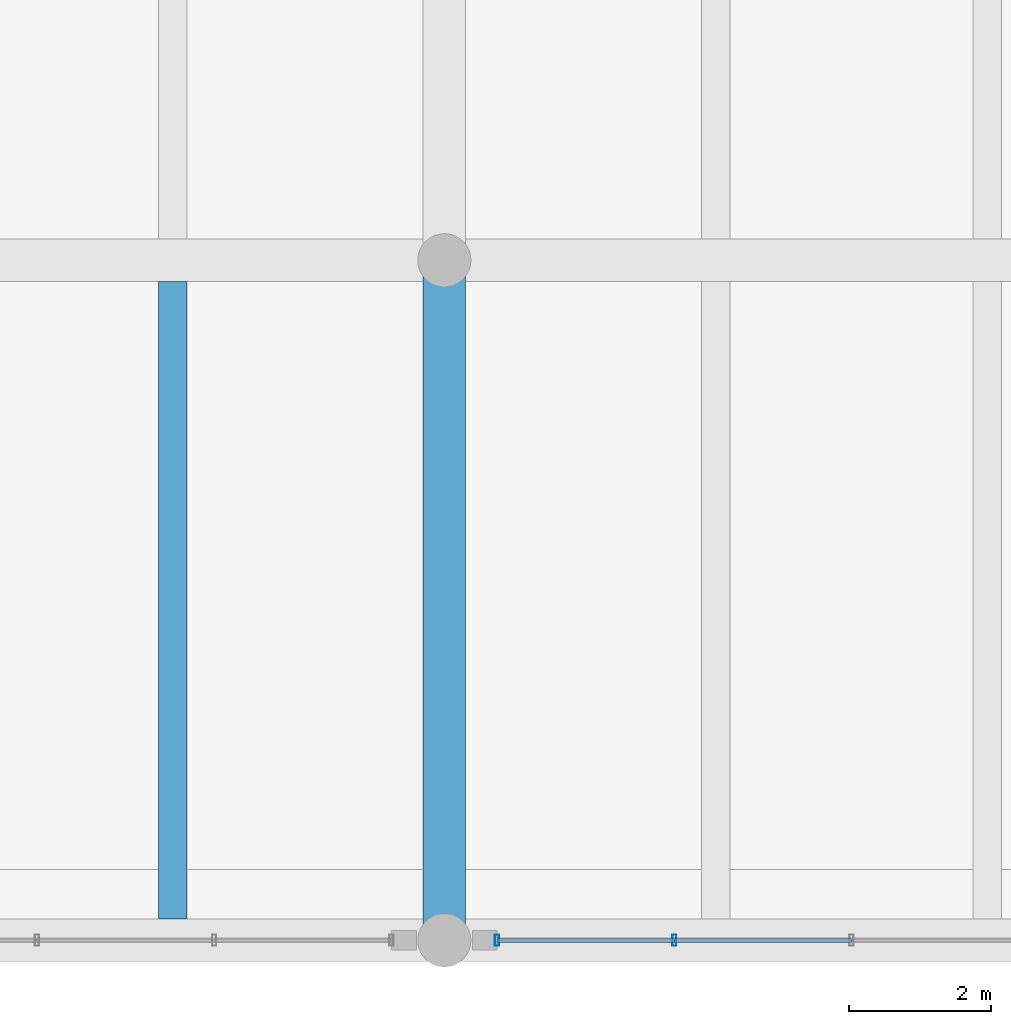
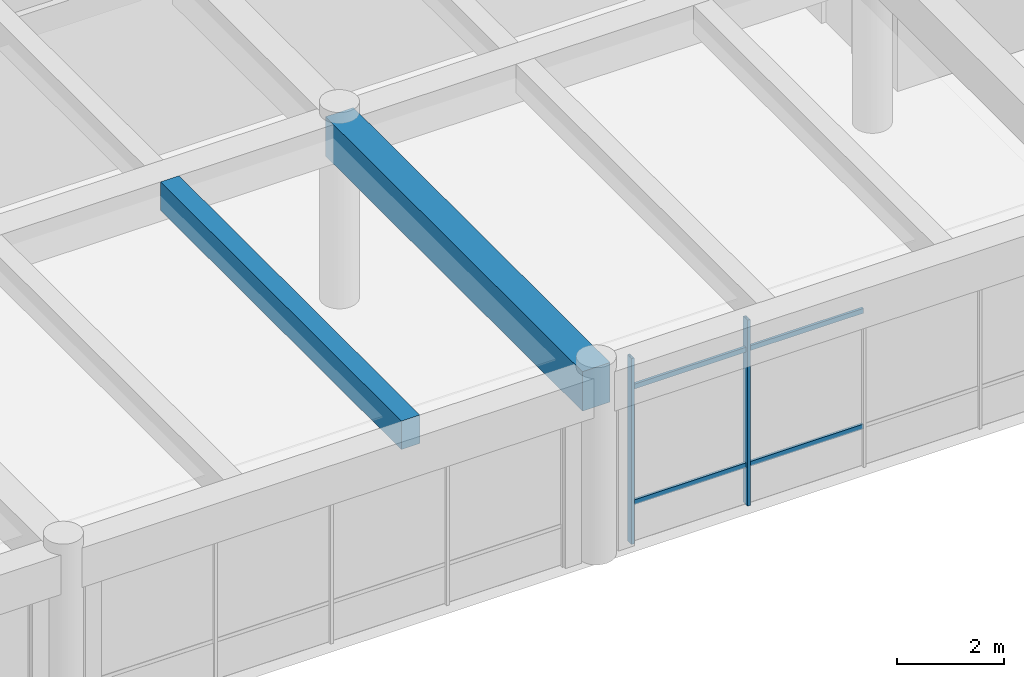
# One storey, part 39 of 154: 6 members, 2 beams, 1 element without a shape of its own.
"""IFC4 building model written with IfcOpenShell, lengths in metres."""

from ifc_helpers import new_model, si_unit, direction, frame, origin, origin_2d, place, context, subcontext, project, spatial, rectangle, hollow_rectangle, extrude, material, material_profile, profile_set, type_object, element, aggregate, save


model = new_model("IFC4")

# Units and contexts
model_context = context("Model", 3, precision=1e-05, world=origin(), true_north=direction((0.0, 1.0)))
body_context = subcontext(model_context, "Body", "Model", "MODEL_VIEW")
ifc_project = project(units=[si_unit("LENGTHUNIT", "METRE"), si_unit("AREAUNIT", "SQUARE_METRE"), si_unit("VOLUMEUNIT", "CUBIC_METRE"), si_unit("PLANEANGLEUNIT", "RADIAN"), si_unit("MASSUNIT", "GRAM", prefix="KILO")], contexts=[model_context])

# Site, building, storey
site_placement = place(None, origin())
site = spatial("IfcSite", under=ifc_project, at=site_placement, CompositionType="ELEMENT")
building_placement = place(site_placement, origin())
building = spatial("IfcBuilding", under=site, at=building_placement, Name="Ologun Quay Terminus", CompositionType="ELEMENT")
storey_placement = place(building_placement, frame((0.0, 0.0, 13.800048828125)))
storey = spatial("IfcBuildingStorey", under=building, at=storey_placement, Name="L03", CompositionType="ELEMENT", Elevation=13.800048828125)

# Curtain wall, members
ifc_material_1 = material(Name="Aluminium 6063-T6", Category="aluminium")
curtain_wall_type = type_object("IfcCurtainWallType", Name="South Pavilion Reading Hall Curtain Wall 10700x4150", PredefinedType="USERDEFINED", material=ifc_material_1)
curtain_wall_placement = place(storey_placement, origin())
curtain_wall = element("IfcCurtainWall", 1, at=curtain_wall_placement, inside=storey, type_object=curtain_wall_type, Name="CW-06 Curtain Wall CW-L03-038", ObjectType="UNITISED CURTAIN WALL", PredefinedType="USERDEFINED")
ifc_material_2 = material(Name="Aluminium 6063-T6", Category="aluminium")
ifc_material_profile_1 = material_profile(ifc_material_2, hollow_rectangle(XDim=0.06005859375, YDim=0.159912109375, WallThickness=0.00390625, at=origin_2d()), Name="ALU 160x60x4")
ifc_profile_set_1 = profile_set([ifc_material_profile_1], Name="Aluminium 6063-T6")
member_type_1 = type_object("IfcMemberType", Name="Curtain Wall Standard Mullion 160x65", PredefinedType="MULLION", material=ifc_profile_set_1)
member_1_placement = place(storey_placement, frame((104.2451171875, 8.0, 0.0), z_axis=(0.0, 0.0, 1.0), x_axis=(1.0, 0.0, 0.0)))
member_1 = element("IfcMember", 2, at=member_1_placement, type_object=member_type_1, Name="CW-L03-038 Mullion 1", PredefinedType="MULLION", context=body_context, shape_type="SweptSolid", body=[
    extrude(hollow_rectangle(XDim=0.06005859375, YDim=0.159912109375, WallThickness=0.00390625, at=origin_2d()), origin(), (0.0, 0.0, 1.0), 4.239990234375),
])
member_2_placement = place(storey_placement, frame((106.74755859375, 8.0, 0.0), z_axis=(0.0, 0.0, 1.0), x_axis=(1.0, 0.0, 0.0)))
member_2 = element("IfcMember", 3, at=member_2_placement, type_object=member_type_1, Name="CW-L03-038 Mullion 2", PredefinedType="MULLION", context=body_context, shape_type="SweptSolid", body=[
    extrude(hollow_rectangle(XDim=0.06005859375, YDim=0.159912109375, WallThickness=0.00390625, at=origin_2d()), origin(), (0.0, 0.0, 1.0), 4.239990234375),
])
ifc_material_3 = material(Name="Aluminium 6063-T6", Category="aluminium")
ifc_material_profile_2 = material_profile(ifc_material_3, hollow_rectangle(XDim=0.054931640625, YDim=0.110107421875, WallThickness=0.00390625, at=origin_2d()), Name="ALU 110x55x4")
ifc_profile_set_2 = profile_set([ifc_material_profile_2], Name="Aluminium 6063-T6")
member_type_2 = type_object("IfcMemberType", Name="Curtain Wall Standard Transom 110x55", PredefinedType="USERDEFINED", material=ifc_profile_set_2)
member_3_placement = place(storey_placement, frame((104.2451171875, 8.0, 0.89990234375), z_axis=(1.0, 0.0, 0.0), x_axis=(0.0, 1.0, 0.0)))
member_3 = element("IfcMember", 4, at=member_3_placement, type_object=member_type_2, Name="CW-L03-038 Transom B1-1", ObjectType="TRANSOM", PredefinedType="USERDEFINED", context=body_context, shape_type="SweptSolid", body=[
    extrude(hollow_rectangle(XDim=0.054931640625, YDim=0.110107421875, WallThickness=0.00390625, at=origin_2d()), origin(), (0.0, 0.0, 1.0), 2.50244140625),
])
member_4_placement = place(storey_placement, frame((104.2451171875, 8.0, 3.5400390625), z_axis=(1.0, 0.0, 0.0), x_axis=(0.0, 1.0, 0.0)))
member_4 = element("IfcMember", 5, at=member_4_placement, type_object=member_type_2, Name="CW-L03-038 Transom B1-2", ObjectType="TRANSOM", PredefinedType="USERDEFINED", context=body_context, shape_type="SweptSolid", body=[
    extrude(hollow_rectangle(XDim=0.054931640625, YDim=0.110107421875, WallThickness=0.00390625, at=origin_2d()), origin(), (0.0, 0.0, 1.0), 2.50244140625),
])
member_5_placement = place(storey_placement, frame((106.74755859375, 8.0, 0.89990234375), z_axis=(1.0, 0.0, 0.0), x_axis=(0.0, 1.0, 0.0)))
member_5 = element("IfcMember", 6, at=member_5_placement, type_object=member_type_2, Name="CW-L03-038 Transom B2-1", ObjectType="TRANSOM", PredefinedType="USERDEFINED", context=body_context, shape_type="SweptSolid", body=[
    extrude(hollow_rectangle(XDim=0.054931640625, YDim=0.110107421875, WallThickness=0.00390625, at=origin_2d()), origin(), (0.0, 0.0, 1.0), 2.50244140625),
])
member_6_placement = place(storey_placement, frame((106.74755859375, 8.0, 3.5400390625), z_axis=(1.0, 0.0, 0.0), x_axis=(0.0, 1.0, 0.0)))
member_6 = element("IfcMember", 7, at=member_6_placement, type_object=member_type_2, Name="CW-L03-038 Transom B2-2", ObjectType="TRANSOM", PredefinedType="USERDEFINED", context=body_context, shape_type="SweptSolid", body=[
    extrude(hollow_rectangle(XDim=0.054931640625, YDim=0.110107421875, WallThickness=0.00390625, at=origin_2d()), origin(), (0.0, 0.0, 1.0), 2.50244140625),
])
aggregate(curtain_wall, [member_1, member_2, member_3, member_4, member_5, member_6])

# Beams
ifc_material_4 = material(Name="Concrete C40/50", Category="concrete")
ifc_material_profile_3 = material_profile(ifc_material_4, rectangle(XDim=0.60009765625, YDim=0.89990234375, at=origin_2d()), Name="RC 600x900")
ifc_profile_set_3 = profile_set([ifc_material_profile_3], Name="Concrete C40/50")
beam_type_1 = type_object("IfcBeamType", Name="Station Frame Girder 600x900", PredefinedType="BEAM", material=ifc_profile_set_3)
beam_1_placement = place(storey_placement, frame((103.5, 8.0, 3.800048828125), z_axis=(0.0, 1.0, 0.0), x_axis=(-1.0, 0.0, 0.0)))
element("IfcBeam", 8, at=beam_1_placement, inside=storey, type_object=beam_type_1, Name="B3 Beam 10/B L03", PredefinedType="BEAM", context=body_context, shape_type="SweptSolid", body=[
    extrude(rectangle(XDim=0.60009765625, YDim=0.89990234375, at=origin_2d()), origin(), (0.0, 0.0, 1.0), 9.60009765625),
])
ifc_material_5 = material(Name="Concrete C40/50", Category="concrete")
ifc_material_profile_4 = material_profile(ifc_material_5, rectangle(XDim=0.39990234375, YDim=0.64990234375, at=origin_2d()), Name="RC 400x650")
ifc_profile_set_4 = profile_set([ifc_material_profile_4], Name="Concrete C40/50")
beam_type_2 = type_object("IfcBeamType", Name="Station Secondary Joist 400x650", PredefinedType="JOIST", material=ifc_profile_set_4)
beam_2_placement = place(storey_placement, frame((99.666748046875, 8.300048828125, 3.925048828125), z_axis=(0.0, 1.0, 0.0), x_axis=(-1.0, 0.0, 0.0)))
element("IfcBeam", 9, at=beam_2_placement, inside=storey, type_object=beam_type_2, Name="J1 Beam 9/B L03", PredefinedType="JOIST", context=body_context, shape_type="SweptSolid", body=[
    extrude(rectangle(XDim=0.39990234375, YDim=0.64990234375, at=origin_2d()), origin(), (0.0, 0.0, 1.0), 9.0),
])

save(model, "model.ifc")
